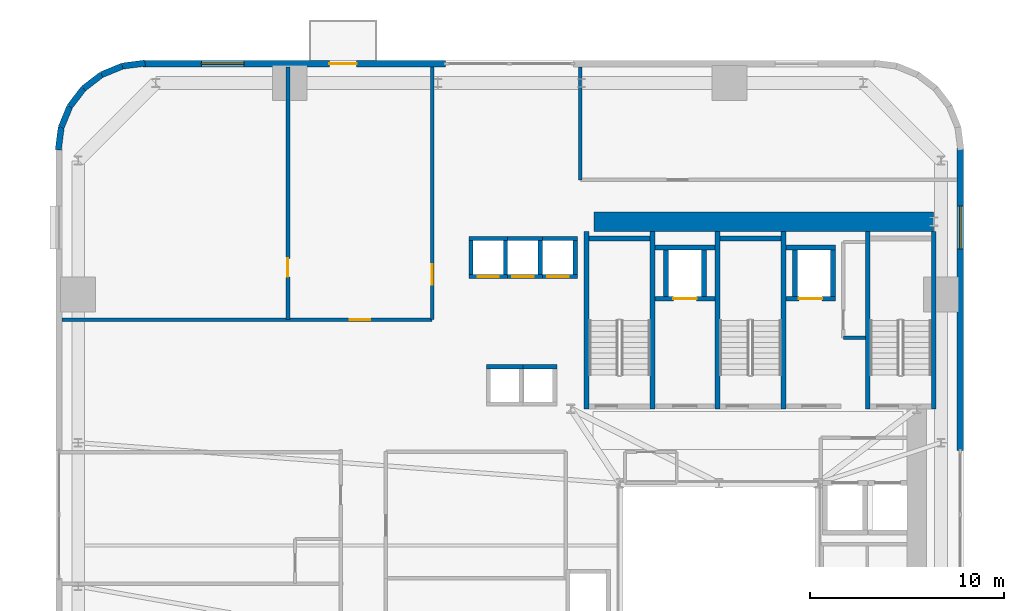
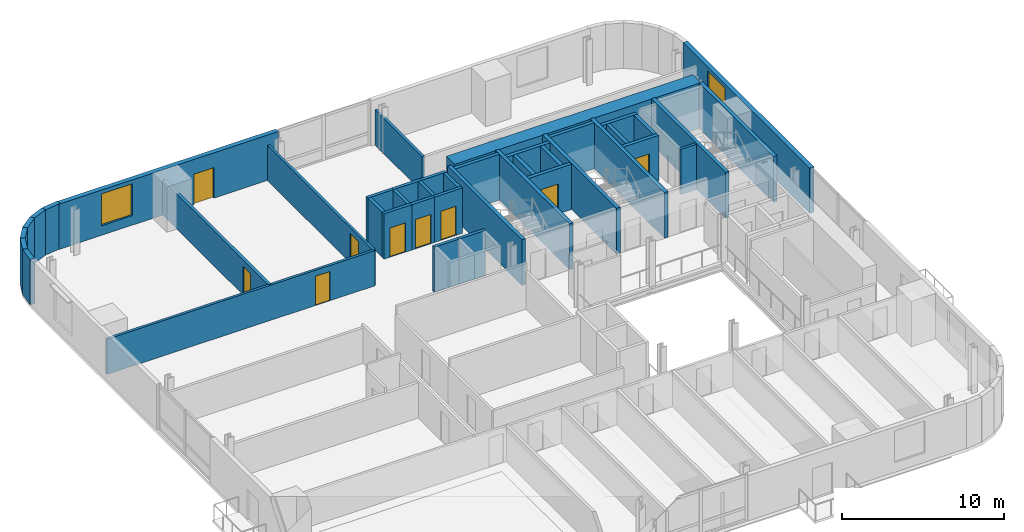
# One storey, part 8 of 13: 42 walls, 9 doors, 2 windows, 11 openings.
"""IFC4 building model written with IfcOpenShell, lengths in metres."""

from ifc_helpers import new_model, si_unit, direction, frame, frame_2d, origin, place, context, subcontext, project, spatial, rectangle, extrude, source, transform, mapped, material, layer, layer_set, type_object, element, fill, save


model = new_model("IFC4")

# Units and contexts
model_context = context("Model", 3, precision=1e-05, world=origin(), true_north=direction((0.0, 1.0)))
body_context = subcontext(model_context, "Body", "Model", "MODEL_VIEW")
ifc_project = project(units=[si_unit("LENGTHUNIT", "METRE"), si_unit("AREAUNIT", "SQUARE_METRE"), si_unit("VOLUMEUNIT", "CUBIC_METRE"), si_unit("PLANEANGLEUNIT", "RADIAN"), si_unit("MASSUNIT", "GRAM", prefix="KILO")], contexts=[model_context])

# Site, building, storey
site_placement = place(None, origin())
site = spatial("IfcSite", under=ifc_project, at=site_placement, CompositionType="ELEMENT")
building_placement = place(site_placement, origin())
building = spatial("IfcBuilding", under=site, at=building_placement, Name="Vardaveli Station Tower", CompositionType="ELEMENT")
storey_placement = place(building_placement, frame((0.0, 0.0, 53.14990234375)))
storey = spatial("IfcBuildingStorey", under=building, at=storey_placement, Name="L13", CompositionType="ELEMENT", Elevation=53.14990234375)

# Wall
ifc_material_1 = material(Name="Concrete C60/75", Category="concrete")
ifc_layer_1 = layer(ifc_material_1, 1.0, Name="Concrete C60/75")
ifc_layer_set_1 = layer_set([ifc_layer_1], Name="Concrete C60/75")
wall_type_1 = type_object("IfcWallType", Name="WAL-CORE-1000", PredefinedType="SHEAR", material=ifc_layer_set_1)
shared_shape_1 = source(origin(), body_context, "Body", "SweptSolid", [
    extrude(rectangle(XDim=17.52001953125, YDim=1.0, at=frame_2d((8.760009765625, 0.0))), origin(), (0.0, 0.0, 1.0), 3.41015625),
])
wall_1_placement = place(storey_placement, frame((29.85009765625, 40.300048828125, 0.0), z_axis=(0.0, 0.0, 1.0), x_axis=(1.0, 0.0, 0.0)))
element("IfcWall", 1, at=wall_1_placement, inside=storey, type_object=wall_type_1, Name="SW-L13-NORTH", PredefinedType="SHEAR", context=body_context, shape_type="MappedRepresentation", body=[
    mapped(shared_shape_1, transform((0.0, 0.0, 0.0), scale=1.0)),
])

# Wall, openings, door, window
ifc_material_2 = material(Name="Precast concrete C45/55", Category="concrete")
ifc_layer_2 = layer(ifc_material_2, 0.320068359375, Name="Precast concrete C45/55")
ifc_layer_set_2 = layer_set([ifc_layer_2], Name="Precast concrete C45/55")
wall_type_2 = type_object("IfcWallType", Name="WAL-EXT-STONE-320", PredefinedType="SOLIDWALL", material=ifc_layer_set_2)
shared_shape_2 = source(origin(), body_context, "Body", "SweptSolid", [
    extrude(rectangle(XDim=15.599853515625, YDim=0.320068359375, at=frame_2d((7.7998046875, 0.0))), origin(), (0.0, 0.0, 1.0), 3.41015625),
])
wall_2_placement = place(storey_placement, frame((22.199951171875, 48.43994140625, 0.0), z_axis=(0.0, 0.0, 1.0), x_axis=(-1.0, 0.0, 0.0)))
wall_2 = element("IfcWall", 2, at=wall_2_placement, inside=storey, type_object=wall_type_2, Name="EW-L13-N2", PredefinedType="SOLIDWALL", context=body_context, shape_type="MappedRepresentation", body=[
    mapped(shared_shape_2, transform((0.0, 0.0, 0.0), scale=1.0)),
])
shared_shape_3 = source(origin(), body_context, "Body", "SweptSolid", [
    extrude(rectangle(XDim=1.39990234375, YDim=2.300048828125, at=frame_2d((0.699951171875, 1.14990234375))), frame((0.0, 0.169921875, 0.0), z_axis=(0.0, -1.0, 0.0), x_axis=(1.0, 0.0, 0.0)), (0.0, 0.0, 1.0), 0.340087890625),
])
opening_1_placement = place(wall_2_placement, frame((4.589599609375, 0.0, 0.0)))
opening_1 = element("IfcOpeningElement", 3, at=opening_1_placement, cuts=wall_2, Name="Opening D-09", PredefinedType="OPENING", context=body_context, shape_type="MappedRepresentation", body=[
    mapped(shared_shape_3, transform((0.0, 0.0, 0.0), scale=1.0)),
])
shared_shape_4 = source(origin(), body_context, "Body", "SweptSolid", [
    extrude(rectangle(XDim=2.199951171875, YDim=2.39990234375, at=frame_2d((1.10009765625, 1.199951171875))), frame((0.0, 0.169921875, 0.0), z_axis=(0.0, -1.0, 0.0), x_axis=(1.0, 0.0, 0.0)), (0.0, 0.0, 1.0), 0.340087890625),
])
opening_2_placement = place(wall_2_placement, frame((10.39501953125, 0.0, 0.719970703125)))
opening_2 = element("IfcOpeningElement", 4, at=opening_2_placement, cuts=wall_2, Name="Opening W-03", PredefinedType="OPENING", context=body_context, shape_type="MappedRepresentation", body=[
    mapped(shared_shape_4, transform((0.0, 0.0, 0.0), scale=1.0)),
])
ifc_material_3 = material(Name="Thermally broken aluminium glass", Category="aluminium")
door_type_1 = type_object("IfcDoorType", Name="DR-LOG-1400x2300", OperationType="DOUBLE_DOOR_SLIDING", PredefinedType="DOOR", material=ifc_material_3)
shared_shape_5 = source(origin(), body_context, "Body", "SweptSolid", [
    extrude(rectangle(XDim=1.39990234375, YDim=2.300048828125, at=frame_2d((0.699951171875, 1.14990234375))), frame((0.0, 0.02490234375, 0.0), z_axis=(0.0, -1.0, 0.0), x_axis=(1.0, 0.0, 0.0)), (0.0, 0.0, 1.0), 0.050048828125),
])
door_1_placement = place(opening_1_placement, frame((1.39990234375, 0.0, 0.0), z_axis=(0.0, 0.0, 1.0), x_axis=(-1.0, 0.0, 0.0)))
door_1 = element("IfcDoor", 5, at=door_1_placement, inside=storey, type_object=door_type_1, Name="DLG-L13-N", OperationType="DOUBLE_DOOR_SLIDING", OverallHeight=2.300048828125, OverallWidth=1.39990234375, PredefinedType="DOOR", context=body_context, shape_type="MappedRepresentation", body=[
    mapped(shared_shape_5, transform((0.0, 0.0, 0.0), scale=1.0)),
])
fill(opening_1, door_1)
ifc_material_4 = material(Name="Low-E solar-control glass", Category="glass")
window_type = type_object("IfcWindowType", Name="WIN-LOG-2200x2400", PartitioningType="SINGLE_PANEL", PredefinedType="WINDOW", material=ifc_material_4)
shared_shape_6 = source(origin(), body_context, "Body", "SweptSolid", [
    extrude(rectangle(XDim=2.199951171875, YDim=2.39990234375, at=frame_2d((1.10009765625, 1.199951171875))), frame((0.0, 0.030029296875, 0.0), z_axis=(0.0, -1.0, 0.0), x_axis=(1.0, 0.0, 0.0)), (0.0, 0.0, 1.0), 0.06005859375),
])
window_1_placement = place(opening_2_placement, origin())
window_1 = element("IfcWindow", 6, at=window_1_placement, inside=storey, type_object=window_type, Name="WN-L13-N2", OverallHeight=2.39990234375, OverallWidth=2.199951171875, PartitioningType="SINGLE_PANEL", PredefinedType="WINDOW", context=body_context, shape_type="MappedRepresentation", body=[
    mapped(shared_shape_6, transform((0.0, 0.0, 0.0), scale=1.0)),
])
fill(opening_2, window_1)

# Wall, opening, window
shared_shape_7 = source(origin(), body_context, "Body", "SweptSolid", [
    extrude(rectangle(XDim=15.60009765625, YDim=0.320068359375, at=frame_2d((7.800048828125, 0.0))), origin(), (0.0, 0.0, 1.0), 3.41015625),
])
wall_3_placement = place(storey_placement, frame((48.739990234375, 28.5, 0.0), z_axis=(0.0, 0.0, 1.0), x_axis=(0.0, 1.0, 0.0)))
wall_3 = element("IfcWall", 7, at=wall_3_placement, inside=storey, type_object=wall_type_2, Name="EW-L13-E2", PredefinedType="SOLIDWALL", context=body_context, shape_type="MappedRepresentation", body=[
    mapped(shared_shape_7, transform((0.0, 0.0, 0.0), scale=1.0)),
])
opening_3_placement = place(wall_3_placement, frame((10.39501953125, 0.0, 0.719970703125)))
opening_3 = element("IfcOpeningElement", 8, at=opening_3_placement, cuts=wall_3, Name="Opening W-03", PredefinedType="OPENING", context=body_context, shape_type="MappedRepresentation", body=[
    mapped(shared_shape_4, transform((0.0, 0.0, 0.0), scale=1.0)),
])
window_2_placement = place(opening_3_placement, origin())
window_2 = element("IfcWindow", 9, at=window_2_placement, inside=storey, type_object=window_type, Name="WN-L13-E2", OverallHeight=2.39990234375, OverallWidth=2.199951171875, PartitioningType="SINGLE_PANEL", PredefinedType="WINDOW", context=body_context, shape_type="MappedRepresentation", body=[
    mapped(shared_shape_6, transform((0.0, 0.0, 0.0), scale=1.0)),
])
fill(opening_3, window_2)

# Walls
shared_shape_8 = source(origin(), body_context, "Body", "SweptSolid", [
    extrude(rectangle(XDim=1.1689453125, YDim=0.320068359375, at=frame_2d((0.58447265625, 0.0))), origin(), (0.0, 0.0, 1.0), 3.41015625),
])
wall_4_placement = place(storey_placement, frame((3.53125, 47.1689453125, 0.0), z_axis=(0.0, 0.0, 1.0), x_axis=(-0.608387696831, -0.793639975269, 0.0)))
element("IfcWall", 10, at=wall_4_placement, inside=storey, type_object=wall_type_2, Name="EW-L13-CR4-4", PredefinedType="SOLIDWALL", context=body_context, shape_type="MappedRepresentation", body=[
    mapped(shared_shape_8, transform((0.0, 0.0, 0.0), scale=1.0)),
])
shared_shape_9 = source(origin(), body_context, "Body", "SweptSolid", [
    extrude(rectangle(XDim=1.168701171875, YDim=0.320068359375, at=frame_2d((0.58447265625, 0.0))), origin(), (0.0, 0.0, 1.0), 3.41015625),
])
wall_5_placement = place(storey_placement, frame((4.458740234375, 47.8798828125, 0.0), z_axis=(0.0, 0.0, 1.0), x_axis=(-0.793663520347, -0.608356981114, 0.0)))
element("IfcWall", 11, at=wall_5_placement, inside=storey, type_object=wall_type_2, Name="EW-L13-CR4-3", PredefinedType="SOLIDWALL", context=body_context, shape_type="MappedRepresentation", body=[
    mapped(shared_shape_9, transform((0.0, 0.0, 0.0), scale=1.0)),
])
shared_shape_10 = source(origin(), body_context, "Body", "SweptSolid", [
    extrude(rectangle(XDim=1.17041015625, YDim=0.320068359375, at=frame_2d((0.585205078125, 0.0))), origin(), (0.0, 0.0, 1.0), 3.41015625),
])
for number, where, z_axis, x_axis, name in (
    (12, (6.700439453125, 48.4755859375, 0.0), (0.0, 0.0, 1.0), (-0.991735963317, -0.128295670475, 0.0), "EW-L13-CR4-1"),
    (13, (2.37451171875, 45.16015625, 0.0), (0.0, 0.0, 1.0), (-0.128295670475, -0.991735963317, 0.0), "EW-L13-CR4-6"),
):
    element("IfcWall", number, at=place(storey_placement, frame(where, z_axis=z_axis, x_axis=x_axis)), inside=storey, type_object=wall_type_2, Name=name, PredefinedType="SOLIDWALL", context=body_context, shape_type="MappedRepresentation", body=[
        mapped(shared_shape_10, transform((0.0, 0.0, 0.0), scale=1.0)),
    ])
shared_shape_11 = source(origin(), body_context, "Body", "SweptSolid", [
    extrude(rectangle(XDim=1.169189453125, YDim=0.320068359375, at=frame_2d((0.58447265625, 0.0))), origin(), (0.0, 0.0, 1.0), 3.41015625),
])
for number, where, z_axis, x_axis, name in (
    (14, (5.539794921875, 48.325439453125, 0.0), (0.0, 0.0, 1.0), (-0.924552646638, -0.381054331552, 0.0), "EW-L13-CR4-2"),
    (15, (2.820068359375, 46.2412109375, 0.0), (0.0, 0.0, 1.0), (-0.381054331552, -0.924552646638, 0.0), "EW-L13-CR4-5"),
):
    element("IfcWall", number, at=place(storey_placement, frame(where, z_axis=z_axis, x_axis=x_axis)), inside=storey, type_object=wall_type_2, Name=name, PredefinedType="SOLIDWALL", context=body_context, shape_type="MappedRepresentation", body=[
        mapped(shared_shape_11, transform((0.0, 0.0, 0.0), scale=1.0)),
    ])
ifc_material_5 = material(Name="Concrete C40/50", Category="concrete")
ifc_layer_3 = layer(ifc_material_5, 0.25, Name="Concrete C40/50")
ifc_layer_set_3 = layer_set([ifc_layer_3], Name="Concrete C40/50")
wall_type_3 = type_object("IfcWallType", Name="WAL-SHAFT-250", PredefinedType="SOLIDWALL", material=ifc_layer_set_3)
shared_shape_12 = source(origin(), body_context, "Body", "SweptSolid", [
    extrude(rectangle(XDim=9.150146484375, YDim=0.25, at=frame_2d((4.5751953125, 0.0))), origin(), (0.0, 0.0, 1.0), 3.4501953125),
])
for number, where, z_axis, x_axis, name in (
    (16, (29.47509765625, 30.64990234375, 0.0), (0.0, 0.0, 1.0), (0.0, 1.0, 0.0), "W-L13-ST-1W"),
    (17, (32.875, 30.64990234375, 0.0), (0.0, 0.0, 1.0), (0.0, 1.0, 0.0), "W-L13-ST-1E"),
    (18, (36.22509765625, 30.64990234375, 0.0), (0.0, 0.0, 1.0), (0.0, 1.0, 0.0), "W-L13-ST-2W"),
    (19, (39.625, 30.64990234375, 0.0), (0.0, 0.0, 1.0), (0.0, 1.0, 0.0), "W-L13-ST-2E"),
    (20, (43.97509765625, 30.64990234375, 0.0), (0.0, 0.0, 1.0), (0.0, 1.0, 0.0), "W-L13-ST-3W"),
    (21, (47.375, 30.64990234375, 0.0), (0.0, 0.0, 1.0), (0.0, 1.0, 0.0), "W-L13-ST-3E"),
):
    element("IfcWall", number, at=place(storey_placement, frame(where, z_axis=z_axis, x_axis=x_axis)), inside=storey, type_object=wall_type_3, Name=name, PredefinedType="SOLIDWALL", context=body_context, shape_type="MappedRepresentation", body=[
        mapped(shared_shape_12, transform((0.0, 0.0, 0.0), scale=1.0)),
    ])
shared_shape_13 = source(origin(), body_context, "Body", "SweptSolid", [
    extrude(rectangle(XDim=3.14990234375, YDim=0.25, at=frame_2d((1.574951171875, 0.0))), origin(), (0.0, 0.0, 1.0), 3.4501953125),
])
for number, where, z_axis, x_axis, name in (
    (22, (29.60009765625, 39.425048828125, 0.0), (0.0, 0.0, 1.0), (1.0, 0.0, 0.0), "W-L13-ST-1N"),
    (23, (36.35009765625, 39.425048828125, 0.0), (0.0, 0.0, 1.0), (1.0, 0.0, 0.0), "W-L13-ST-2N"),
):
    element("IfcWall", number, at=place(storey_placement, frame(where, z_axis=z_axis, x_axis=x_axis)), inside=storey, type_object=wall_type_3, Name=name, PredefinedType="SOLIDWALL", context=body_context, shape_type="MappedRepresentation", body=[
        mapped(shared_shape_13, transform((0.0, 0.0, 0.0), scale=1.0)),
    ])

# Wall, opening, door
ifc_layer_4 = layer(ifc_material_5, 0.219970703125, Name="Concrete C40/50")
ifc_layer_set_4 = layer_set([ifc_layer_4], Name="Concrete C40/50")
wall_type_4 = type_object("IfcWallType", Name="WAL-FFLOBBY-220", PredefinedType="SOLIDWALL", material=ifc_layer_set_4)
shared_shape_14 = source(origin(), body_context, "Body", "SweptSolid", [
    extrude(rectangle(XDim=1.989990234375, YDim=0.219970703125, at=frame_2d((0.9951171875, 0.0))), origin(), (0.0, 0.0, 1.0), 3.41015625),
])
wall_6_placement = place(storey_placement, frame((23.405029296875, 37.465087890625, 0.0), z_axis=(0.0, 0.0, 1.0), x_axis=(1.0, 0.0, 0.0)))
wall_6 = element("IfcWall", 24, at=wall_6_placement, inside=storey, type_object=wall_type_4, Name="SHW-HL1-01-L13-S", PredefinedType="SOLIDWALL", context=body_context, shape_type="MappedRepresentation", body=[
    mapped(shared_shape_14, transform((0.0, 0.0, 0.0), scale=1.0)),
])
shared_shape_15 = source(origin(), body_context, "Body", "SweptSolid", [
    extrude(rectangle(XDim=1.10009765625, YDim=2.199951171875, at=frame_2d((0.550048828125, 1.10009765625))), frame((0.0, 0.1201171875, 0.0), z_axis=(0.0, -1.0, 0.0), x_axis=(1.0, 0.0, 0.0)), (0.0, 0.0, 1.0), 0.239990234375),
])
opening_4_placement = place(wall_6_placement, frame((0.445068359375, 0.0, 0.0)))
opening_4 = element("IfcOpeningElement", 25, at=opening_4_placement, cuts=wall_6, Name="Opening LD-01", PredefinedType="OPENING", context=body_context, shape_type="MappedRepresentation", body=[
    mapped(shared_shape_15, transform((0.0, 0.0, 0.0), scale=1.0)),
])
ifc_material_6 = material(Name="Brushed stainless steel", Category="steel")
door_type_2 = type_object("IfcDoorType", Name="DR-LD-1100x2200", OperationType="DOUBLE_DOOR_SLIDING", PredefinedType="DOOR", material=ifc_material_6)
shared_shape_16 = source(origin(), body_context, "Body", "SweptSolid", [
    extrude(rectangle(XDim=1.10009765625, YDim=2.199951171875, at=frame_2d((0.550048828125, 1.10009765625))), frame((0.0, 0.02490234375, 0.0), z_axis=(0.0, -1.0, 0.0), x_axis=(1.0, 0.0, 0.0)), (0.0, 0.0, 1.0), 0.050048828125),
])
door_2_placement = place(opening_4_placement, origin())
door_2 = element("IfcDoor", 26, at=door_2_placement, inside=storey, type_object=door_type_2, Name="LD-HL1-01-L13", OperationType="DOUBLE_DOOR_SLIDING", OverallHeight=2.199951171875, OverallWidth=1.10009765625, PredefinedType="DOOR", context=body_context, shape_type="MappedRepresentation", body=[
    mapped(shared_shape_16, transform((0.0, 0.0, 0.0), scale=1.0)),
])
fill(opening_4, door_2)

# Wall
wall_7_placement = place(storey_placement, frame((23.405029296875, 39.43505859375, 0.0), z_axis=(0.0, 0.0, 1.0), x_axis=(1.0, 0.0, 0.0)))
element("IfcWall", 27, at=wall_7_placement, inside=storey, type_object=wall_type_4, Name="SHW-HL1-01-L13-N", PredefinedType="SOLIDWALL", context=body_context, shape_type="MappedRepresentation", body=[
    mapped(shared_shape_14, transform((0.0, 0.0, 0.0), scale=1.0)),
])

# Wall, opening, door
wall_8_placement = place(storey_placement, frame((25.205078125, 37.465087890625, 0.0), z_axis=(0.0, 0.0, 1.0), x_axis=(1.0, 0.0, 0.0)))
wall_8 = element("IfcWall", 28, at=wall_8_placement, inside=storey, type_object=wall_type_4, Name="SHW-HL1-02-L13-S", PredefinedType="SOLIDWALL", context=body_context, shape_type="MappedRepresentation", body=[
    mapped(shared_shape_14, transform((0.0, 0.0, 0.0), scale=1.0)),
])
opening_5_placement = place(wall_8_placement, frame((0.445068359375, 0.0, 0.0)))
opening_5 = element("IfcOpeningElement", 29, at=opening_5_placement, cuts=wall_8, Name="Opening LD-01", PredefinedType="OPENING", context=body_context, shape_type="MappedRepresentation", body=[
    mapped(shared_shape_15, transform((0.0, 0.0, 0.0), scale=1.0)),
])
door_3_placement = place(opening_5_placement, origin())
door_3 = element("IfcDoor", 30, at=door_3_placement, inside=storey, type_object=door_type_2, Name="LD-HL1-02-L13", OperationType="DOUBLE_DOOR_SLIDING", OverallHeight=2.199951171875, OverallWidth=1.10009765625, PredefinedType="DOOR", context=body_context, shape_type="MappedRepresentation", body=[
    mapped(shared_shape_16, transform((0.0, 0.0, 0.0), scale=1.0)),
])
fill(opening_5, door_3)

# Walls
wall_9_placement = place(storey_placement, frame((25.205078125, 39.43505859375, 0.0), z_axis=(0.0, 0.0, 1.0), x_axis=(1.0, 0.0, 0.0)))
element("IfcWall", 31, at=wall_9_placement, inside=storey, type_object=wall_type_4, Name="SHW-HL1-02-L13-N", PredefinedType="SOLIDWALL", context=body_context, shape_type="MappedRepresentation", body=[
    mapped(shared_shape_14, transform((0.0, 0.0, 0.0), scale=1.0)),
])
shared_shape_17 = source(origin(), body_context, "Body", "SweptSolid", [
    extrude(rectangle(XDim=1.75, YDim=0.219970703125, at=frame_2d((0.875, 0.0))), origin(), (0.0, 0.0, 1.0), 3.41015625),
])
for number, where, z_axis, x_axis, name in (
    (32, (23.514892578125, 37.574951171875, 0.0), (0.0, 0.0, 1.0), (0.0, 1.0, 0.0), "SHW-HL1-01-L13-W"),
    (33, (25.284912109375, 37.574951171875, 0.0), (0.0, 0.0, 1.0), (0.0, 1.0, 0.0), "SHW-HL1-01-L13-E"),
    (34, (27.0849609375, 37.574951171875, 0.0), (0.0, 0.0, 1.0), (0.0, 1.0, 0.0), "SHW-HL1-02-L13-E"),
    (35, (28.885009765625, 37.574951171875, 0.0), (0.0, 0.0, 1.0), (0.0, 1.0, 0.0), "SHW-HL1-03-L13-E"),
):
    element("IfcWall", number, at=place(storey_placement, frame(where, z_axis=z_axis, x_axis=x_axis)), inside=storey, type_object=wall_type_4, Name=name, PredefinedType="SOLIDWALL", context=body_context, shape_type="MappedRepresentation", body=[
        mapped(shared_shape_17, transform((0.0, 0.0, 0.0), scale=1.0)),
    ])

# Wall, opening, door
shared_shape_18 = source(origin(), body_context, "Body", "SweptSolid", [
    extrude(rectangle(XDim=1.990234375, YDim=0.219970703125, at=frame_2d((0.9951171875, 0.0))), origin(), (0.0, 0.0, 1.0), 3.41015625),
])
wall_10_placement = place(storey_placement, frame((27.0048828125, 37.465087890625, 0.0), z_axis=(0.0, 0.0, 1.0), x_axis=(1.0, 0.0, 0.0)))
wall_10 = element("IfcWall", 36, at=wall_10_placement, inside=storey, type_object=wall_type_4, Name="SHW-HL1-03-L13-S", PredefinedType="SOLIDWALL", context=body_context, shape_type="MappedRepresentation", body=[
    mapped(shared_shape_18, transform((0.0, 0.0, 0.0), scale=1.0)),
])
opening_6_placement = place(wall_10_placement, frame((0.445068359375, 0.0, 0.0)))
opening_6 = element("IfcOpeningElement", 37, at=opening_6_placement, cuts=wall_10, Name="Opening LD-01", PredefinedType="OPENING", context=body_context, shape_type="MappedRepresentation", body=[
    mapped(shared_shape_15, transform((0.0, 0.0, 0.0), scale=1.0)),
])
door_4_placement = place(opening_6_placement, origin())
door_4 = element("IfcDoor", 38, at=door_4_placement, inside=storey, type_object=door_type_2, Name="LD-HL1-03-L13", OperationType="DOUBLE_DOOR_SLIDING", OverallHeight=2.199951171875, OverallWidth=1.10009765625, PredefinedType="DOOR", context=body_context, shape_type="MappedRepresentation", body=[
    mapped(shared_shape_16, transform((0.0, 0.0, 0.0), scale=1.0)),
])
fill(opening_6, door_4)

# Wall
wall_11_placement = place(storey_placement, frame((27.0048828125, 39.43505859375, 0.0), z_axis=(0.0, 0.0, 1.0), x_axis=(1.0, 0.0, 0.0)))
element("IfcWall", 39, at=wall_11_placement, inside=storey, type_object=wall_type_4, Name="SHW-HL1-03-L13-N", PredefinedType="SOLIDWALL", context=body_context, shape_type="MappedRepresentation", body=[
    mapped(shared_shape_18, transform((0.0, 0.0, 0.0), scale=1.0)),
])

# Wall, opening, door
shared_shape_19 = source(origin(), body_context, "Body", "SweptSolid", [
    extrude(rectangle(XDim=3.10009765625, YDim=0.25, at=frame_2d((1.550048828125, 0.0))), origin(), (0.0, 0.0, 1.0), 3.41015625),
])
wall_12_placement = place(storey_placement, frame((33.0, 36.324951171875, 0.0), z_axis=(0.0, 0.0, 1.0), x_axis=(1.0, 0.0, 0.0)))
wall_12 = element("IfcWall", 40, at=wall_12_placement, inside=storey, type_object=wall_type_3, Name="SHW-FFL-01-L13-S", PredefinedType="SOLIDWALL", context=body_context, shape_type="MappedRepresentation", body=[
    mapped(shared_shape_19, transform((0.0, 0.0, 0.0), scale=1.0)),
])
shared_shape_20 = source(origin(), body_context, "Body", "SweptSolid", [
    extrude(rectangle(XDim=1.199951171875, YDim=2.25, at=frame_2d((0.60009765625, 1.125))), frame((0.0, 0.135009765625, 0.0), z_axis=(0.0, -1.0, 0.0), x_axis=(1.0, 0.0, 0.0)), (0.0, 0.0, 1.0), 0.27001953125),
])
opening_7_placement = place(wall_12_placement, frame((0.949951171875, 0.0, 0.0)))
opening_7 = element("IfcOpeningElement", 41, at=opening_7_placement, cuts=wall_12, Name="Opening LD-02", PredefinedType="OPENING", context=body_context, shape_type="MappedRepresentation", body=[
    mapped(shared_shape_20, transform((0.0, 0.0, 0.0), scale=1.0)),
])
door_type_3 = type_object("IfcDoorType", Name="DR-LD-1200x2250", OperationType="DOUBLE_DOOR_SLIDING", PredefinedType="DOOR", material=ifc_material_6)
shared_shape_21 = source(origin(), body_context, "Body", "SweptSolid", [
    extrude(rectangle(XDim=1.199951171875, YDim=2.25, at=frame_2d((0.60009765625, 1.125))), frame((0.0, 0.02490234375, 0.0), z_axis=(0.0, -1.0, 0.0), x_axis=(1.0, 0.0, 0.0)), (0.0, 0.0, 1.0), 0.050048828125),
])
door_5_placement = place(opening_7_placement, origin())
door_5 = element("IfcDoor", 42, at=door_5_placement, inside=storey, type_object=door_type_3, Name="LD-FFL-01-L13", OperationType="DOUBLE_DOOR_SLIDING", OverallHeight=2.25, OverallWidth=1.199951171875, PredefinedType="DOOR", context=body_context, shape_type="MappedRepresentation", body=[
    mapped(shared_shape_21, transform((0.0, 0.0, 0.0), scale=1.0)),
])
fill(opening_7, door_5)

# Walls
wall_13_placement = place(storey_placement, frame((33.0, 38.97509765625, 0.0), z_axis=(0.0, 0.0, 1.0), x_axis=(1.0, 0.0, 0.0)))
element("IfcWall", 43, at=wall_13_placement, inside=storey, type_object=wall_type_3, Name="SHW-FFL-01-L13-N", PredefinedType="SOLIDWALL", context=body_context, shape_type="MappedRepresentation", body=[
    mapped(shared_shape_19, transform((0.0, 0.0, 0.0), scale=1.0)),
])
shared_shape_22 = source(origin(), body_context, "Body", "SweptSolid", [
    extrude(rectangle(XDim=2.400146484375, YDim=0.25, at=frame_2d((1.2001953125, 0.0))), origin(), (0.0, 0.0, 1.0), 3.41015625),
])
for number, where, z_axis, x_axis, name in (
    (44, (33.574951171875, 36.449951171875, 0.0), (0.0, 0.0, 1.0), (0.0, 1.0, 0.0), "SHW-FFL-01-L13-W"),
    (45, (35.52490234375, 36.449951171875, 0.0), (0.0, 0.0, 1.0), (0.0, 1.0, 0.0), "SHW-FFL-01-L13-E"),
    (46, (40.22509765625, 36.449951171875, 0.0), (0.0, 0.0, 1.0), (0.0, 1.0, 0.0), "SHW-FFL-02-L13-W"),
    (47, (42.175048828125, 36.449951171875, 0.0), (0.0, 0.0, 1.0), (0.0, 1.0, 0.0), "SHW-FFL-02-L13-E"),
):
    element("IfcWall", number, at=place(storey_placement, frame(where, z_axis=z_axis, x_axis=x_axis)), inside=storey, type_object=wall_type_3, Name=name, PredefinedType="SOLIDWALL", context=body_context, shape_type="MappedRepresentation", body=[
        mapped(shared_shape_22, transform((0.0, 0.0, 0.0), scale=1.0)),
    ])

# Wall, opening, door
shared_shape_23 = source(origin(), body_context, "Body", "SweptSolid", [
    extrude(rectangle(XDim=2.550048828125, YDim=0.25, at=frame_2d((1.27490234375, 0.0))), origin(), (0.0, 0.0, 1.0), 3.41015625),
])
wall_14_placement = place(storey_placement, frame((39.75, 36.324951171875, 0.0), z_axis=(0.0, 0.0, 1.0), x_axis=(1.0, 0.0, 0.0)))
wall_14 = element("IfcWall", 48, at=wall_14_placement, inside=storey, type_object=wall_type_3, Name="SHW-FFL-02-L13-S", PredefinedType="SOLIDWALL", context=body_context, shape_type="MappedRepresentation", body=[
    mapped(shared_shape_23, transform((0.0, 0.0, 0.0), scale=1.0)),
])
opening_8_placement = place(wall_14_placement, frame((0.675048828125, 0.0, 0.0)))
opening_8 = element("IfcOpeningElement", 49, at=opening_8_placement, cuts=wall_14, Name="Opening LD-02", PredefinedType="OPENING", context=body_context, shape_type="MappedRepresentation", body=[
    mapped(shared_shape_20, transform((0.0, 0.0, 0.0), scale=1.0)),
])
door_6_placement = place(opening_8_placement, origin())
door_6 = element("IfcDoor", 50, at=door_6_placement, inside=storey, type_object=door_type_3, Name="LD-FFL-02-L13", OperationType="DOUBLE_DOOR_SLIDING", OverallHeight=2.25, OverallWidth=1.199951171875, PredefinedType="DOOR", context=body_context, shape_type="MappedRepresentation", body=[
    mapped(shared_shape_21, transform((0.0, 0.0, 0.0), scale=1.0)),
])
fill(opening_8, door_6)

# Walls
wall_15_placement = place(storey_placement, frame((39.75, 38.97509765625, 0.0), z_axis=(0.0, 0.0, 1.0), x_axis=(1.0, 0.0, 0.0)))
element("IfcWall", 51, at=wall_15_placement, inside=storey, type_object=wall_type_3, Name="SHW-FFL-02-L13-N", PredefinedType="SOLIDWALL", context=body_context, shape_type="MappedRepresentation", body=[
    mapped(shared_shape_23, transform((0.0, 0.0, 0.0), scale=1.0)),
])
shared_shape_24 = source(origin(), body_context, "Body", "SweptSolid", [
    extrude(rectangle(XDim=1.89013671875, YDim=0.219970703125, at=frame_2d((0.945068359375, 0.0))), origin(), (0.0, 0.0, 1.0), 3.41015625),
])
for number, where, z_axis, x_axis, name in (
    (52, (24.304931640625, 32.81005859375, 0.0), (0.0, 0.0, 1.0), (1.0, 0.0, 0.0), "SHW-SHU-01-L13-N"),
    (53, (26.054931640625, 32.81005859375, 0.0), (0.0, 0.0, 1.0), (1.0, 0.0, 0.0), "SHW-SHU-02-L13-N"),
):
    element("IfcWall", number, at=place(storey_placement, frame(where, z_axis=z_axis, x_axis=x_axis)), inside=storey, type_object=wall_type_4, Name=name, PredefinedType="SOLIDWALL", context=body_context, shape_type="MappedRepresentation", body=[
        mapped(shared_shape_24, transform((0.0, 0.0, 0.0), scale=1.0)),
    ])

# Wall, opening, door
ifc_material_7 = material(Name="Fire-rated gypsum stud partition")
ifc_layer_5 = layer(ifc_material_7, 0.179931640625, Name="Fire-rated gypsum stud partition")
ifc_layer_set_5 = layer_set([ifc_layer_5], Name="Fire-rated gypsum stud partition")
wall_type_5 = type_object("IfcWallType", Name="WAL-CORR-180", PredefinedType="PARTITIONING", material=ifc_layer_set_5)
shared_shape_25 = source(origin(), body_context, "Body", "SweptSolid", [
    extrude(rectangle(XDim=19.077880859375, YDim=0.179931640625, at=frame_2d((9.5390625, 0.0))), origin(), (0.0, 0.0, 1.0), 2.652099609375),
])
wall_16_placement = place(storey_placement, frame((2.422119140625, 35.25, 0.0), z_axis=(0.0, 0.0, 1.0), x_axis=(1.0, 0.0, 0.0)))
wall_16 = element("IfcWall", 54, at=wall_16_placement, inside=storey, type_object=wall_type_5, Name="W-L13-CNWS", PredefinedType="PARTITIONING", context=body_context, shape_type="MappedRepresentation", body=[
    mapped(shared_shape_25, transform((0.0, 0.0, 0.0), scale=1.0)),
])
shared_shape_26 = source(origin(), body_context, "Body", "SweptSolid", [
    extrude(rectangle(XDim=1.050048828125, YDim=2.199951171875, at=frame_2d((0.52490234375, 1.10009765625))), frame((0.0, 0.10009765625, 0.0), z_axis=(0.0, -1.0, 0.0), x_axis=(1.0, 0.0, 0.0)), (0.0, 0.0, 1.0), 0.199951171875),
])
opening_9_placement = place(wall_16_placement, frame((14.84326171875, 0.0, 0.0)))
opening_9 = element("IfcOpeningElement", 55, at=opening_9_placement, cuts=wall_16, Name="Opening D-05", PredefinedType="OPENING", context=body_context, shape_type="MappedRepresentation", body=[
    mapped(shared_shape_26, transform((0.0, 0.0, 0.0), scale=1.0)),
])
ifc_material_8 = material(Name="Walnut veneer acoustic fire door")
door_type_4 = type_object("IfcDoorType", Name="DR-SUITE-1050x2200", OperationType="NOTDEFINED", PredefinedType="DOOR", material=ifc_material_8)
shared_shape_27 = source(origin(), body_context, "Body", "SweptSolid", [
    extrude(rectangle(XDim=1.050048828125, YDim=2.199951171875, at=frame_2d((0.52490234375, 1.10009765625))), frame((0.0, 0.02490234375, 0.0), z_axis=(0.0, -1.0, 0.0), x_axis=(1.0, 0.0, 0.0)), (0.0, 0.0, 1.0), 0.050048828125),
])
door_7_placement = place(opening_9_placement, origin())
door_7 = element("IfcDoor", 56, at=door_7_placement, inside=storey, type_object=door_type_4, Name="D-L13-GNW2", OperationType="SINGLE_SWING_RIGHT", OverallHeight=2.199951171875, OverallWidth=1.050048828125, PredefinedType="DOOR", context=body_context, shape_type="MappedRepresentation", body=[
    mapped(shared_shape_27, transform((0.0, 0.0, 0.0), scale=1.0)),
])
fill(opening_9, door_7)

shared_shape_28 = source(origin(), body_context, "Body", "SweptSolid", [
    extrude(rectangle(XDim=13.028076171875, YDim=0.179931640625, at=frame_2d((6.51416015625, 0.0))), origin(), (0.0, 0.0, 1.0), 2.652099609375),
])
wall_17_placement = place(storey_placement, frame((21.5, 35.25, 0.0), z_axis=(0.0, 0.0, 1.0), x_axis=(0.0, 1.0, 0.0)))
wall_17 = element("IfcWall", 57, at=wall_17_placement, inside=storey, type_object=wall_type_5, Name="W-L13-CNWE", PredefinedType="PARTITIONING", context=body_context, shape_type="MappedRepresentation", body=[
    mapped(shared_shape_28, transform((0.0, 0.0, 0.0), scale=1.0)),
])
opening_10_placement = place(wall_17_placement, frame((1.800048828125, 0.0, 0.0)))
opening_10 = element("IfcOpeningElement", 58, at=opening_10_placement, cuts=wall_17, Name="Opening D-05", PredefinedType="OPENING", context=body_context, shape_type="MappedRepresentation", body=[
    mapped(shared_shape_26, transform((0.0, 0.0, 0.0), scale=1.0)),
])
door_8_placement = place(opening_10_placement, origin())
door_8 = element("IfcDoor", 59, at=door_8_placement, inside=storey, type_object=door_type_4, Name="D-L13-GNWE", OperationType="SINGLE_SWING_RIGHT", OverallHeight=2.199951171875, OverallWidth=1.050048828125, PredefinedType="DOOR", context=body_context, shape_type="MappedRepresentation", body=[
    mapped(shared_shape_27, transform((0.0, 0.0, 0.0), scale=1.0)),
])
fill(opening_10, door_8)

# Wall
shared_shape_29 = source(origin(), body_context, "Body", "SweptSolid", [
    extrude(rectangle(XDim=5.828125, YDim=0.179931640625, at=frame_2d((2.9140625, 0.0))), origin(), (0.0, 0.0, 1.0), 2.652099609375),
])
wall_18_placement = place(storey_placement, frame((29.14990234375, 42.449951171875, 0.0), z_axis=(0.0, 0.0, 1.0), x_axis=(0.0, 1.0, 0.0)))
element("IfcWall", 60, at=wall_18_placement, inside=storey, type_object=wall_type_5, Name="W-L13-NPW", PredefinedType="PARTITIONING", context=body_context, shape_type="MappedRepresentation", body=[
    mapped(shared_shape_29, transform((0.0, 0.0, 0.0), scale=1.0)),
])

# Wall, opening, door
ifc_material_9 = material(Name="Acoustic twin-stud gypsum partition")
ifc_layer_6 = layer(ifc_material_9, 0.199951171875, Name="Acoustic twin-stud gypsum partition")
ifc_layer_set_6 = layer_set([ifc_layer_6], Name="Acoustic twin-stud gypsum partition")
wall_type_6 = type_object("IfcWallType", Name="WAL-PARTY-200", PredefinedType="PARTITIONING", material=ifc_layer_set_6)
shared_shape_30 = source(origin(), body_context, "Body", "SweptSolid", [
    extrude(rectangle(XDim=13.028076171875, YDim=0.199951171875, at=frame_2d((6.51416015625, 0.0))), origin(), (0.0, 0.0, 1.0), 2.652099609375),
])
wall_19_placement = place(storey_placement, frame((14.070068359375, 35.25, 0.0), z_axis=(0.0, 0.0, 1.0), x_axis=(0.0, 1.0, 0.0)))
wall_19 = element("IfcWall", 61, at=wall_19_placement, inside=storey, type_object=wall_type_6, Name="W-L13-PNW1", PredefinedType="PARTITIONING", context=body_context, shape_type="MappedRepresentation", body=[
    mapped(shared_shape_30, transform((0.0, 0.0, 0.0), scale=1.0)),
])
shared_shape_31 = source(origin(), body_context, "Body", "SweptSolid", [
    extrude(rectangle(XDim=0.949951171875, YDim=2.14990234375, at=frame_2d((0.47509765625, 1.074951171875))), frame((0.0, 0.10986328125, 0.0), z_axis=(0.0, -1.0, 0.0), x_axis=(1.0, 0.0, 0.0)), (0.0, 0.0, 1.0), 0.219970703125),
])
opening_11_placement = place(wall_19_placement, frame((2.199951171875, 0.0, 0.0)))
opening_11 = element("IfcOpeningElement", 62, at=opening_11_placement, cuts=wall_19, Name="Opening D-11", PredefinedType="OPENING", context=body_context, shape_type="MappedRepresentation", body=[
    mapped(shared_shape_31, transform((0.0, 0.0, 0.0), scale=1.0)),
])
ifc_material_10 = material(Name="Oak veneer internal suite door")
door_type_5 = type_object("IfcDoorType", Name="DR-INT-950x2150", OperationType="NOTDEFINED", PredefinedType="DOOR", material=ifc_material_10)
shared_shape_32 = source(origin(), body_context, "Body", "SweptSolid", [
    extrude(rectangle(XDim=0.949951171875, YDim=2.14990234375, at=frame_2d((0.47509765625, 1.074951171875))), frame((0.0, 0.02490234375, 0.0), z_axis=(0.0, -1.0, 0.0), x_axis=(1.0, 0.0, 0.0)), (0.0, 0.0, 1.0), 0.050048828125),
])
door_9_placement = place(opening_11_placement, origin())
door_9 = element("IfcDoor", 63, at=door_9_placement, inside=storey, type_object=door_type_5, Name="D-L13-GNW1", OperationType="SINGLE_SWING_LEFT", OverallHeight=2.14990234375, OverallWidth=0.949951171875, PredefinedType="DOOR", context=body_context, shape_type="MappedRepresentation", body=[
    mapped(shared_shape_32, transform((0.0, 0.0, 0.0), scale=1.0)),
])
fill(opening_11, door_9)

# Wall
shared_shape_33 = source(origin(), body_context, "Body", "SweptSolid", [
    extrude(rectangle(XDim=1.1279296875, YDim=0.179931640625, at=frame_2d((0.56396484375, 0.0))), origin(), (0.0, 0.0, 1.0), 3.41015625),
])
wall_20_placement = place(storey_placement, frame((42.719970703125, 34.300048828125, 0.0), z_axis=(0.0, 0.0, 1.0), x_axis=(1.0, 0.0, 0.0)))
element("IfcWall", 64, at=wall_20_placement, inside=storey, type_object=wall_type_5, Name="W-L13-CBS1-S", PredefinedType="PARTITIONING", context=body_context, shape_type="MappedRepresentation", body=[
    mapped(shared_shape_33, transform((0.0, 0.0, 0.0), scale=1.0)),
])

save(model, "model.ifc")
